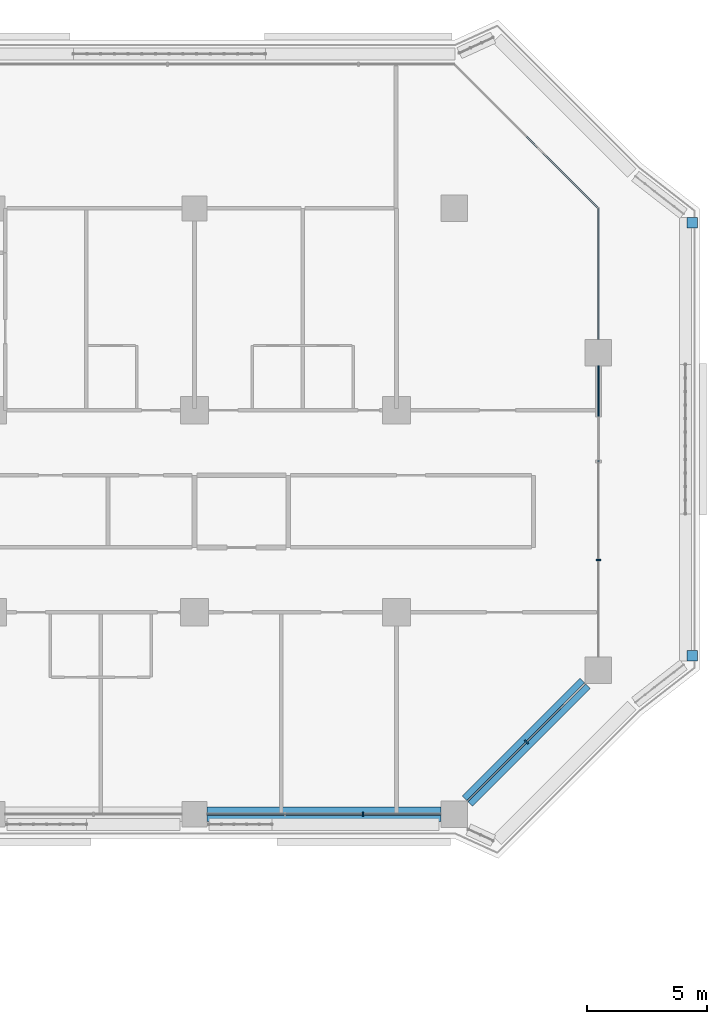
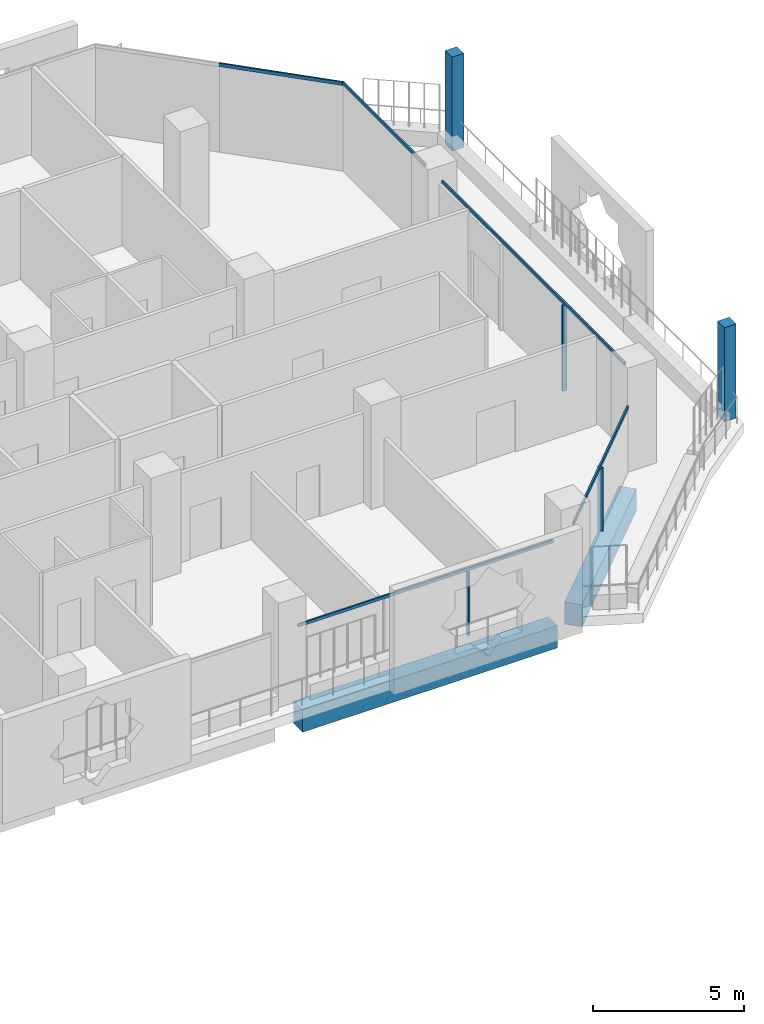
# One storey, part 7 of 25: 10 members, 2 beams, 5 elements without a shape of their own.
"""IFC4 building model written with IfcOpenShell, lengths in metres."""

from ifc_helpers import new_model, si_unit, direction, frame, origin, origin_2d, place, context, subcontext, project, spatial, rectangle, extrude, material, layer, layer_set, material_profile, profile_set, type_object, element, aggregate, save


model = new_model("IFC4")

# Units and contexts
model_context = context("Model", 3, precision=1e-05, world=origin(), true_north=direction((0.0, 1.0)))
body_context = subcontext(model_context, "Body", "Model", "MODEL_VIEW")
ifc_project = project(units=[si_unit("LENGTHUNIT", "METRE"), si_unit("AREAUNIT", "SQUARE_METRE"), si_unit("VOLUMEUNIT", "CUBIC_METRE"), si_unit("PLANEANGLEUNIT", "RADIAN"), si_unit("MASSUNIT", "GRAM", prefix="KILO")], contexts=[model_context])

# Site, building, storey
site_placement = place(None, origin())
site = spatial("IfcSite", under=ifc_project, at=site_placement, CompositionType="ELEMENT")
building_placement = place(site_placement, origin())
building = spatial("IfcBuilding", under=site, at=building_placement, Name="Kawkab Arch Medical Tower", CompositionType="ELEMENT")
storey_placement = place(building_placement, frame((0.0, 0.0, 145.0)))
storey = spatial("IfcBuildingStorey", under=building, at=storey_placement, Name="L33", CompositionType="ELEMENT", Elevation=145.0)

# Curtain wall, member
ifc_material_1 = material(Name="Bronze anodised aluminium curtain wall frame", Category="aluminium")
ifc_layer_1 = layer(ifc_material_1, 0.159912109375)
ifc_layer_set_1 = layer_set([ifc_layer_1], Name="Bronze anodised aluminium curtain wall frame")
curtain_wall_type_1 = type_object("IfcCurtainWallType", Name="CW1 ward curtain wall", PredefinedType="NOTDEFINED", material=ifc_layer_set_1)
placement = place(storey_placement, origin())
curtain_wall_1 = element("IfcCurtainWall", 1, at=placement, inside=storey, type_object=curtain_wall_type_1, Name="CW1 Ward curtain wall R07", PredefinedType="NOTDEFINED")
ifc_material_2 = material(Name="Bronze anodised aluminium curtain wall frame", Category="aluminium")
ifc_material_profile_1 = material_profile(ifc_material_2, rectangle(XDim=0.179931640625, YDim=0.06005859375, at=origin_2d()), Name="AL 60x180")
ifc_profile_set_1 = profile_set([ifc_material_profile_1], Name="Bronze anodised aluminium curtain wall frame")
member_type_1 = type_object("IfcMemberType", Name="CW1 mullion 60 x 180", PredefinedType="MULLION", material=ifc_profile_set_1)
member_1_placement = place(storey_placement, frame((65.808349609375, -25.199951171875, 0.0), z_axis=(0.0, 0.0, 1.0), x_axis=(0.0, 1.0, 0.0)))
member_1 = element("IfcMember", 2, at=member_1_placement, type_object=member_type_1, Name="CW1 mullion 4.2", PredefinedType="MULLION", context=body_context, shape_type="SweptSolid", body=[
    extrude(rectangle(XDim=0.179931640625, YDim=0.06005859375, at=origin_2d()), origin(), (0.0, 0.0, 1.0), 2.580078125),
])

curtain_wall_2 = element("IfcCurtainWall", 3, at=placement, inside=storey, type_object=curtain_wall_type_1, Name="CW1 Ward curtain wall R09", PredefinedType="NOTDEFINED")
member_2_placement = place(storey_placement, frame((75.60009765625, -14.61669921875, 0.0), z_axis=(0.0, 0.0, 1.0), x_axis=(-1.0, 0.0, 0.0)))
member_2 = element("IfcMember", 4, at=member_2_placement, type_object=member_type_1, Name="CW1 mullion 1.1", PredefinedType="MULLION", context=body_context, shape_type="SweptSolid", body=[
    extrude(rectangle(XDim=0.179931640625, YDim=0.06005859375, at=origin_2d()), origin(), (0.0, 0.0, 1.0), 3.47998046875),
])

# Member
ifc_material_3 = material(Name="Bronze anodised aluminium curtain wall frame", Category="aluminium")
ifc_material_profile_2 = material_profile(ifc_material_3, rectangle(XDim=0.06005859375, YDim=0.1201171875, at=origin_2d()), Name="AL 60x120")
ifc_profile_set_2 = profile_set([ifc_material_profile_2], Name="Bronze anodised aluminium curtain wall frame")
member_type_2 = type_object("IfcMemberType", Name="CW1 transom 120 x 60", PredefinedType="USERDEFINED", material=ifc_profile_set_2)
member_3_placement = place(storey_placement, frame((59.324951171875, -25.199951171875, 2.639892578125), z_axis=(1.0, 0.0, 0.0), x_axis=(0.0, 1.0, 0.0)))
member_3 = element("IfcMember", 5, at=member_3_placement, type_object=member_type_2, Name="CW1 transom 4", ObjectType="TRANSOM", PredefinedType="USERDEFINED", context=body_context, shape_type="SweptSolid", body=[
    extrude(rectangle(XDim=0.06005859375, YDim=0.1201171875, at=origin_2d()), origin(), (0.0, 0.0, 1.0), 9.72509765625),
])

aggregate(curtain_wall_1, [member_3, member_1])

member_4_placement = place(storey_placement, frame((75.60009765625, -18.64990234375, 3.5400390625), z_axis=(0.0, 1.0, 0.0), x_axis=(-1.0, 0.0, 0.0)))
member_4 = element("IfcMember", 6, at=member_4_placement, type_object=member_type_2, Name="CW1 transom 1", ObjectType="TRANSOM", PredefinedType="USERDEFINED", context=body_context, shape_type="SweptSolid", body=[
    extrude(rectangle(XDim=0.06005859375, YDim=0.1201171875, at=origin_2d()), origin(), (0.0, 0.0, 1.0), 12.099853515625),
])

member_5_placement = place(storey_placement, frame((75.60009765625, -5.449951171875, 3.5400390625), z_axis=(0.0, 1.0, 0.0), x_axis=(-1.0, 0.0, 0.0)))
member_5 = element("IfcMember", 7, at=member_5_placement, type_object=member_type_2, Name="CW1 transom 2", ObjectType="TRANSOM", PredefinedType="USERDEFINED", context=body_context, shape_type="SweptSolid", body=[
    extrude(rectangle(XDim=0.06005859375, YDim=0.1201171875, at=origin_2d()), origin(), (0.0, 0.0, 1.0), 5.449951171875),
])

aggregate(curtain_wall_2, [member_4, member_2, member_5])

# Curtain wall, members
ifc_material_4 = material(Name="Bronze anodised aluminium curtain wall frame", Category="aluminium")
ifc_layer_2 = layer(ifc_material_4, 0.159912109375)
ifc_layer_set_2 = layer_set([ifc_layer_2], Name="Bronze anodised aluminium curtain wall frame")
curtain_wall_type_2 = type_object("IfcCurtainWallType", Name="CW2 chamfer curtain wall", PredefinedType="NOTDEFINED", material=ifc_layer_set_2)
curtain_wall_3 = element("IfcCurtainWall", 8, at=placement, inside=storey, type_object=curtain_wall_type_2, Name="CW2 Chamfer curtain wall R08", PredefinedType="NOTDEFINED")
ifc_material_5 = material(Name="Bronze anodised aluminium curtain wall frame", Category="aluminium")
ifc_material_profile_3 = material_profile(ifc_material_5, rectangle(XDim=0.199951171875, YDim=0.06005859375, at=origin_2d()), Name="AL 60x200")
ifc_profile_set_3 = profile_set([ifc_material_profile_3], Name="Bronze anodised aluminium curtain wall frame")
member_type_3 = type_object("IfcMemberType", Name="CW2 mullion 60 x 200", PredefinedType="MULLION", material=ifc_profile_set_3)
member_6_placement = place(storey_placement, frame((72.60009765625, -22.199951171875, 0.0), z_axis=(0.0, 0.0, 1.0), x_axis=(-0.707106781187, 0.707106781187, 0.0)))
member_6 = element("IfcMember", 9, at=member_6_placement, type_object=member_type_3, Name="CW2 mullion 1.1", PredefinedType="MULLION", context=body_context, shape_type="SweptSolid", body=[
    extrude(rectangle(XDim=0.199951171875, YDim=0.06005859375, at=origin_2d()), origin(), (0.0, 0.0, 1.0), 2.56005859375),
])
ifc_material_6 = material(Name="Bronze anodised aluminium curtain wall frame", Category="aluminium")
ifc_material_profile_4 = material_profile(ifc_material_6, rectangle(XDim=0.06005859375, YDim=0.139892578125, at=origin_2d()), Name="AL 60x140")
ifc_profile_set_4 = profile_set([ifc_material_profile_4], Name="Bronze anodised aluminium curtain wall frame")
member_type_4 = type_object("IfcMemberType", Name="CW2 transom 140 x 60", PredefinedType="USERDEFINED", material=ifc_profile_set_4)
member_7_placement = place(storey_placement, frame((70.14990234375, -24.64990234375, 2.6298828125), z_axis=(0.707124396542, 0.707089165393, 0.0), x_axis=(-0.707089165393, 0.707124396542, 0.0)))
member_7 = element("IfcMember", 10, at=member_7_placement, type_object=member_type_4, Name="CW2 transom 1", ObjectType="TRANSOM", PredefinedType="USERDEFINED", context=body_context, shape_type="SweptSolid", body=[
    extrude(rectangle(XDim=0.06005859375, YDim=0.139892578125, at=origin_2d()), origin(), (0.0, 0.0, 1.0), 6.9296875),
])
aggregate(curtain_wall_3, [member_7, member_6])

# Curtain wall, member
curtain_wall_4 = element("IfcCurtainWall", 11, at=placement, inside=storey, type_object=curtain_wall_type_2, Name="CW2 Chamfer curtain wall R10", PredefinedType="NOTDEFINED")
member_8_placement = place(storey_placement, frame((75.60009765625, 0.0, 3.530029296875), z_axis=(-0.707106781187, 0.707106781187, 0.0), x_axis=(-0.707106781187, -0.707106781187, 0.0)))
member_8 = element("IfcMember", 12, at=member_8_placement, type_object=member_type_4, Name="CW2 transom 1", ObjectType="TRANSOM", PredefinedType="USERDEFINED", context=body_context, shape_type="SweptSolid", body=[
    extrude(rectangle(XDim=0.06005859375, YDim=0.139892578125, at=origin_2d()), origin(), (0.0, 0.0, 1.0), 4.24267578125),
])
aggregate(curtain_wall_4, [member_8])

# Curtain wall, members
ifc_material_7 = material(Name="Bronze anodised aluminium climber frame, planted", Category="aluminium")
ifc_layer_3 = layer(ifc_material_7, 0.449951171875)
ifc_layer_set_3 = layer_set([ifc_layer_3], Name="Bronze anodised aluminium climber frame, planted")
curtain_wall_type_3 = type_object("IfcCurtainWallType", Name="Planted climber frame", PredefinedType="NOTDEFINED", material=ifc_layer_set_3)
curtain_wall_5 = element("IfcCurtainWall", 13, at=placement, inside=storey, type_object=curtain_wall_type_3, Name="Planted climber frame L33", PredefinedType="NOTDEFINED")
ifc_material_8 = material(Name="Bronze anodised aluminium climber frame, planted", Category="aluminium")
ifc_material_profile_5 = material_profile(ifc_material_8, rectangle(XDim=0.449951171875, YDim=0.449951171875, at=origin_2d()), Name="Post 450x450")
ifc_profile_set_5 = profile_set([ifc_material_profile_5], Name="Bronze anodised aluminium climber frame, planted")
member_type_5 = type_object("IfcMemberType", Name="Planted climber post 450 x 450", PredefinedType="MULLION", material=ifc_profile_set_5)
member_9_placement = place(storey_placement, frame((79.5, -0.596923828125, 0.0), z_axis=(0.0, 0.0, 1.0), x_axis=(1.0, 0.0, 0.0)))
member_9 = element("IfcMember", 14, at=member_9_placement, type_object=member_type_5, Name="Planted climber post L33.LOG-01-01.3", PredefinedType="MULLION", context=body_context, shape_type="SweptSolid", body=[
    extrude(rectangle(XDim=0.449951171875, YDim=0.449951171875, at=origin_2d()), origin(), (0.0, 0.0, 1.0), 3.800048828125),
])
member_10_placement = place(storey_placement, frame((79.5, -18.60302734375, 0.0), z_axis=(0.0, 0.0, 1.0), x_axis=(1.0, 0.0, 0.0)))
member_10 = element("IfcMember", 15, at=member_10_placement, type_object=member_type_5, Name="Planted climber post L33.LOG-01-01.4", PredefinedType="MULLION", context=body_context, shape_type="SweptSolid", body=[
    extrude(rectangle(XDim=0.449951171875, YDim=0.449951171875, at=origin_2d()), origin(), (0.0, 0.0, 1.0), 3.800048828125),
])
aggregate(curtain_wall_5, [member_9, member_10])

# Beams
ifc_material_9 = material(Name="Concrete C55/67", Category="concrete")
ifc_material_profile_6 = material_profile(ifc_material_9, rectangle(XDim=0.60009765625, YDim=0.89990234375, at=origin_2d()), Name="RC 600x900")
ifc_profile_set_6 = profile_set([ifc_material_profile_6], Name="Concrete C55/67")
beam_type = type_object("IfcBeamType", Name="RC 600x900 beam C55/67", PredefinedType="BEAM", material=ifc_profile_set_6)
beam_1_placement = place(storey_placement, frame((75.050048828125, -19.75, -1.050048828125), z_axis=(-0.707124396542, -0.707089165393, 0.0), x_axis=(0.707089165393, -0.707124396542, 0.0)))
element("IfcBeam", 16, at=beam_1_placement, inside=storey, type_object=beam_type, Name="Overhang edge beam L33-01", PredefinedType="BEAM", context=body_context, shape_type="SweptSolid", body=[
    extrude(rectangle(XDim=0.60009765625, YDim=0.89990234375, at=origin_2d()), origin(), (0.0, 0.0, 1.0), 6.9296875),
])
beam_2_placement = place(storey_placement, frame((69.050048828125, -25.199951171875, -1.050048828125), z_axis=(-1.0, 0.0, 0.0), x_axis=(0.0, -1.0, 0.0)))
element("IfcBeam", 17, at=beam_2_placement, inside=storey, type_object=beam_type, Name="Overhang edge beam L33-02", PredefinedType="BEAM", context=body_context, shape_type="SweptSolid", body=[
    extrude(rectangle(XDim=0.60009765625, YDim=0.89990234375, at=origin_2d()), origin(), (0.0, 0.0, 1.0), 9.72509765625),
])

save(model, "model.ifc")
